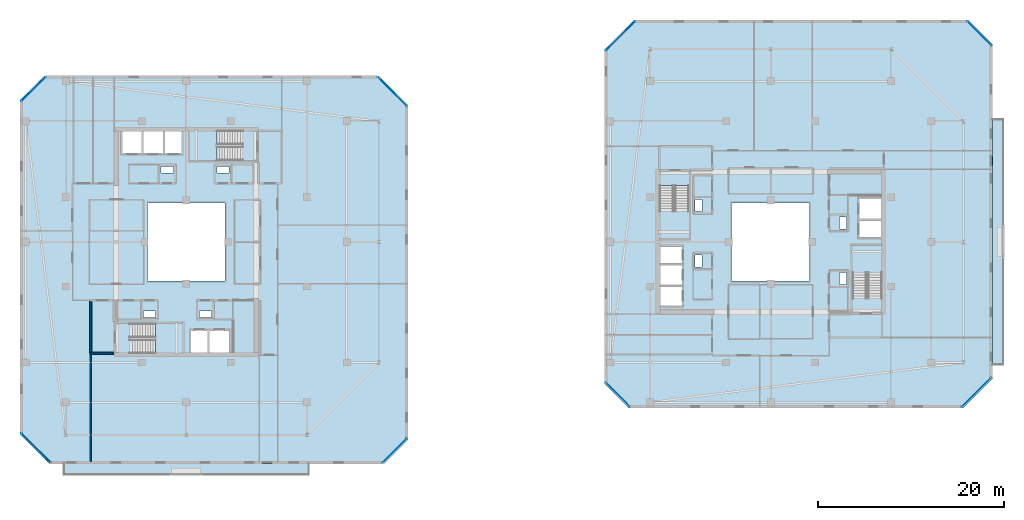
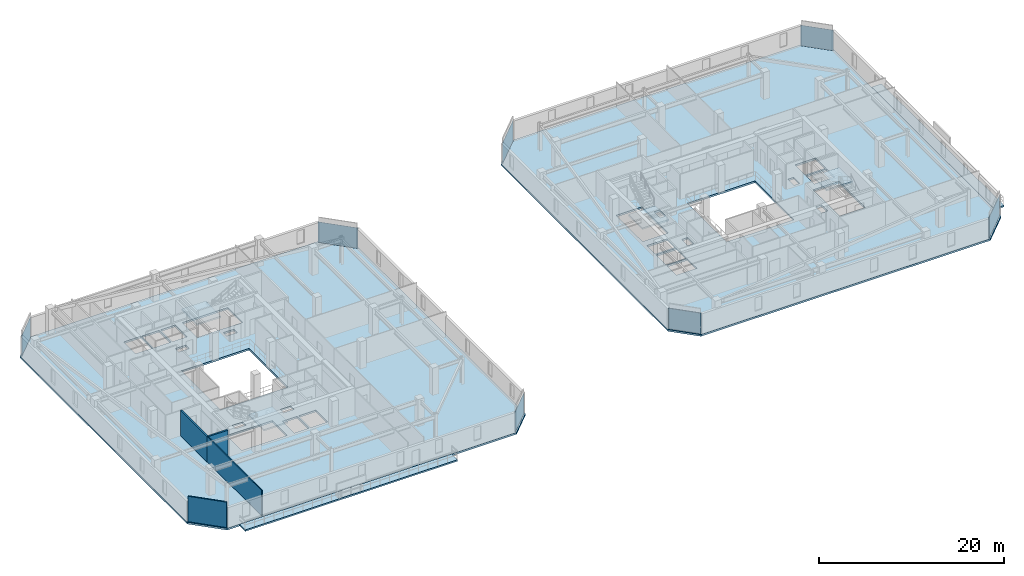
# One storey, part 20 of 35: 8 plates, 8 slabs, 4 walls, 12 elements without a shape of their own.
"""IFC4 building model written with IfcOpenShell, lengths in metres."""

from ifc_helpers import new_model, si_unit, direction, frame, frame_2d, origin, origin_2d, place, context, subcontext, project, spatial, polyline, rectangle, outline, extrude, material, layer, layer_set, type_object, element, aggregate, save


model = new_model("IFC4")

# Units and contexts
model_context = context("Model", 3, precision=1e-05, world=origin(), true_north=direction((0.0, 1.0)))
body_context = subcontext(model_context, "Body", "Model", "MODEL_VIEW")
ifc_project = project(units=[si_unit("LENGTHUNIT", "METRE"), si_unit("AREAUNIT", "SQUARE_METRE"), si_unit("VOLUMEUNIT", "CUBIC_METRE"), si_unit("PLANEANGLEUNIT", "RADIAN"), si_unit("MASSUNIT", "GRAM", prefix="KILO")], contexts=[model_context])

# Site, building, storey
site_placement = place(None, origin())
site = spatial("IfcSite", under=ifc_project, at=site_placement, CompositionType="ELEMENT")
building_placement = place(site_placement, origin())
building = spatial("IfcBuilding", under=site, at=building_placement, Name="Thornwick Lancets Civic Towers", CompositionType="ELEMENT")
storey_placement = place(building_placement, frame((0.0, 0.0, 269.10009765625)))
storey = spatial("IfcBuildingStorey", under=building, at=storey_placement, Name="L72", CompositionType="ELEMENT", Elevation=269.10009765625)

# Curtain wall, plate
ifc_material_1 = material(Name="High-zone chamfered-corner unitised glass curtain wall", Category="glass")
curtain_wall_type = type_object("IfcCurtainWallType", Name="CW_SYS_05", PredefinedType="NOTDEFINED", material=ifc_material_1)
curtain_wall_1_placement = place(storey_placement, origin())
curtain_wall_1 = element("IfcCurtainWall", 1, at=curtain_wall_1_placement, inside=storey, type_object=curtain_wall_type, Name="L72 Curtain Wall CW-L72-A-E1", PredefinedType="NOTDEFINED")
ifc_material_2 = material(Name="Low-e double glazing clear glass", Category="glass")
ifc_layer_1 = layer(ifc_material_2, 0.035888671875, Name="Low-e double glazing clear glass")
ifc_layer_set_1 = layer_set([ifc_layer_1], Name="Low-e double glazing clear glass")
plate_type = type_object("IfcPlateType", Name="CW_PNL_GLASS", PredefinedType="CURTAIN_PANEL", material=ifc_layer_set_1)
plate_1_placement = place(storey_placement, frame((47.972900390625, 4.527099609375, 0.0), z_axis=(0.0, 0.0, 1.0), x_axis=(0.707106781187, 0.707106781187, 0.0)))
plate_1 = element("IfcPlate", 2, at=plate_1_placement, type_object=plate_type, Name="CW-L72-A-E1 Panel 0", PredefinedType="CURTAIN_PANEL", context=body_context, shape_type="SweptSolid", body=[
    extrude(rectangle(XDim=3.649169921875, YDim=0.035888671875, at=origin_2d()), origin(), (0.0, 0.0, 1.0), 2.699951171875),
])
aggregate(curtain_wall_1, [plate_1])

curtain_wall_2_placement = place(storey_placement, origin())
curtain_wall_2 = element("IfcCurtainWall", 3, at=curtain_wall_2_placement, inside=storey, type_object=curtain_wall_type, Name="L72 Curtain Wall CW-L72-A-E3", PredefinedType="NOTDEFINED")
plate_2_placement = place(storey_placement, frame((47.6962890625, 43.1962890625, 0.0), z_axis=(0.0, 0.0, 1.0), x_axis=(-0.707106781187, 0.707106781187, 0.0)))
plate_2 = element("IfcPlate", 4, at=plate_2_placement, type_object=plate_type, Name="CW-L72-A-E3 Panel 0", PredefinedType="CURTAIN_PANEL", context=body_context, shape_type="SweptSolid", body=[
    extrude(rectangle(XDim=4.42724609375, YDim=0.035888671875, at=origin_2d()), origin(), (0.0, 0.0, 1.0), 2.699951171875),
])
aggregate(curtain_wall_2, [plate_2])

curtain_wall_3_placement = place(storey_placement, origin())
curtain_wall_3 = element("IfcCurtainWall", 5, at=curtain_wall_3_placement, inside=storey, type_object=curtain_wall_type, Name="L72 Curtain Wall CW-L72-A-E5", PredefinedType="NOTDEFINED")
plate_3_placement = place(storey_placement, frame((9.027099609375, 43.472900390625, 0.0), z_axis=(0.0, 0.0, 1.0), x_axis=(-0.707106781187, -0.707106781187, 0.0)))
plate_3 = element("IfcPlate", 6, at=plate_3_placement, type_object=plate_type, Name="CW-L72-A-E5 Panel 0", PredefinedType="CURTAIN_PANEL", context=body_context, shape_type="SweptSolid", body=[
    extrude(rectangle(XDim=3.649169921875, YDim=0.035888671875, at=origin_2d()), origin(), (0.0, 0.0, 1.0), 2.699951171875),
])
aggregate(curtain_wall_3, [plate_3])

curtain_wall_4_placement = place(storey_placement, origin())
curtain_wall_4 = element("IfcCurtainWall", 7, at=curtain_wall_4_placement, inside=storey, type_object=curtain_wall_type, Name="L72 Curtain Wall CW-L72-A-E7", PredefinedType="NOTDEFINED")
plate_4_placement = place(storey_placement, frame((9.303955078125, 4.8037109375, 0.0), z_axis=(0.0, 0.0, 1.0), x_axis=(0.707106781187, -0.707106781187, 0.0)))
plate_4 = element("IfcPlate", 8, at=plate_4_placement, type_object=plate_type, Name="CW-L72-A-E7 Panel 0", PredefinedType="CURTAIN_PANEL", context=body_context, shape_type="SweptSolid", body=[
    extrude(rectangle(XDim=4.42724609375, YDim=0.035888671875, at=origin_2d()), origin(), (0.0, 0.0, 1.0), 2.699951171875),
])
aggregate(curtain_wall_4, [plate_4])

curtain_wall_5_placement = place(storey_placement, origin())
curtain_wall_5 = element("IfcCurtainWall", 9, at=curtain_wall_5_placement, inside=storey, type_object=curtain_wall_type, Name="L72 Curtain Wall CW-L72-B-E1", PredefinedType="NOTDEFINED")
plate_5_placement = place(storey_placement, frame((110.696044921875, 10.803955078125, 0.0), z_axis=(0.0, 0.0, 1.0), x_axis=(0.707106781187, 0.707106781187, 0.0)))
plate_5 = element("IfcPlate", 10, at=plate_5_placement, type_object=plate_type, Name="CW-L72-B-E1 Panel 0", PredefinedType="CURTAIN_PANEL", context=body_context, shape_type="SweptSolid", body=[
    extrude(rectangle(XDim=4.42724609375, YDim=0.035888671875, at=origin_2d()), origin(), (0.0, 0.0, 1.0), 2.699951171875),
])
aggregate(curtain_wall_5, [plate_5])

curtain_wall_6_placement = place(storey_placement, origin())
curtain_wall_6 = element("IfcCurtainWall", 11, at=curtain_wall_6_placement, inside=storey, type_object=curtain_wall_type, Name="L72 Curtain Wall CW-L72-B-E3", PredefinedType="NOTDEFINED")
plate_6_placement = place(storey_placement, frame((110.972900390625, 49.472900390625, 0.0), z_axis=(0.0, 0.0, 1.0), x_axis=(-0.707106781187, 0.707106781187, 0.0)))
plate_6 = element("IfcPlate", 12, at=plate_6_placement, type_object=plate_type, Name="CW-L72-B-E3 Panel 0", PredefinedType="CURTAIN_PANEL", context=body_context, shape_type="SweptSolid", body=[
    extrude(rectangle(XDim=3.649169921875, YDim=0.035888671875, at=origin_2d()), origin(), (0.0, 0.0, 1.0), 2.699951171875),
])
aggregate(curtain_wall_6, [plate_6])

curtain_wall_7_placement = place(storey_placement, origin())
curtain_wall_7 = element("IfcCurtainWall", 13, at=curtain_wall_7_placement, inside=storey, type_object=curtain_wall_type, Name="L72 Curtain Wall CW-L72-B-E5", PredefinedType="NOTDEFINED")
plate_7_placement = place(storey_placement, frame((72.303955078125, 49.1962890625, 0.0), z_axis=(0.0, 0.0, 1.0), x_axis=(-0.707106781187, -0.707106781187, 0.0)))
plate_7 = element("IfcPlate", 14, at=plate_7_placement, type_object=plate_type, Name="CW-L72-B-E5 Panel 0", PredefinedType="CURTAIN_PANEL", context=body_context, shape_type="SweptSolid", body=[
    extrude(rectangle(XDim=4.42724609375, YDim=0.035888671875, at=origin_2d()), origin(), (0.0, 0.0, 1.0), 2.699951171875),
])
aggregate(curtain_wall_7, [plate_7])

curtain_wall_8_placement = place(storey_placement, origin())
curtain_wall_8 = element("IfcCurtainWall", 15, at=curtain_wall_8_placement, inside=storey, type_object=curtain_wall_type, Name="L72 Curtain Wall CW-L72-B-E7", PredefinedType="NOTDEFINED")
plate_8_placement = place(storey_placement, frame((72.027099609375, 10.527099609375, 0.0), z_axis=(0.0, 0.0, 1.0), x_axis=(0.707106781187, -0.707106781187, 0.0)))
plate_8 = element("IfcPlate", 16, at=plate_8_placement, type_object=plate_type, Name="CW-L72-B-E7 Panel 0", PredefinedType="CURTAIN_PANEL", context=body_context, shape_type="SweptSolid", body=[
    extrude(rectangle(XDim=3.649169921875, YDim=0.035888671875, at=origin_2d()), origin(), (0.0, 0.0, 1.0), 2.699951171875),
])
aggregate(curtain_wall_8, [plate_8])

# Slabs
ifc_material_3 = material(Name="Post-tensioned concrete C40/50", Category="concrete")
ifc_layer_2 = layer(ifc_material_3, 0.199951171875, Name="Post-tensioned concrete C40/50")
ifc_layer_set_2 = layer_set([ifc_layer_2], Name="Post-tensioned concrete C40/50")
slab_type_1 = type_object("IfcSlabType", Name="SLAB_BALCONY_200", PredefinedType="FLOOR", material=ifc_layer_set_2)
slab_1_placement = place(storey_placement, frame((0.0, 0.0, -0.2001953125)))
element("IfcSlab", 17, at=slab_1_placement, inside=storey, type_object=slab_type_1, Name="L72 Tower A Planted Balcony Slab S", PredefinedType="FLOOR", context=body_context, shape_type="SweptSolid", body=[
    extrude(outline(polyline([(12.300048828125, 1.85009765625), (38.699951171875, 1.85009765625), (38.699951171875, 3.10009765625), (12.300048828125, 3.10009765625), (12.300048828125, 1.85009765625)])), origin(), (0.0, 0.0, 1.0), 0.2001953125),
])
slab_2_placement = place(storey_placement, frame((0.0, 0.0, -0.2001953125)))
element("IfcSlab", 18, at=slab_2_placement, inside=storey, type_object=slab_type_1, Name="L72 Tower B Planted Balcony Slab E", PredefinedType="FLOOR", context=body_context, shape_type="SweptSolid", body=[
    extrude(outline(polyline([(112.39990234375, 13.800048828125), (113.64990234375, 13.800048828125), (113.64990234375, 40.199951171875), (112.39990234375, 40.199951171875), (112.39990234375, 13.800048828125)])), origin(), (0.0, 0.0, 1.0), 0.2001953125),
])

# Stair, slab
ifc_material_4 = material(Name="Concrete C40/50", Category="concrete")
stair_type = type_object("IfcStairType", Name="STAIR_DL_3600", PredefinedType="HALF_TURN_STAIR", material=ifc_material_4)
stair_1_placement = place(storey_placement, origin())
stair_1 = element("IfcStair", 19, at=stair_1_placement, inside=storey, type_object=stair_type, Name="L72 Tower A South Exit Stair ST-A1", PredefinedType="HALF_TURN_STAIR")
ifc_layer_3 = layer(ifc_material_4, 0.25, Name="Concrete C40/50")
ifc_layer_set_3 = layer_set([ifc_layer_3], Name="Concrete C40/50")
slab_type_2 = type_object("IfcSlabType", Name="SLAB_LANDING_200", PredefinedType="LANDING", material=ifc_layer_set_3)
slab_3_placement = place(storey_placement, frame((0.0, 0.0, 1.602783203125)))
slab_3 = element("IfcSlab", 20, at=slab_3_placement, type_object=slab_type_2, Name="ST-A1 landing 1", PredefinedType="LANDING", context=body_context, shape_type="SweptSolid", body=[
    extrude(outline(polyline([(22.169921875, 14.93994140625), (25.14990234375, 14.93994140625), (25.14990234375, 18.260009765625), (22.169921875, 18.260009765625), (22.169921875, 14.93994140625)])), origin(), (0.0, 0.0, 1.0), 0.2001953125),
])
aggregate(stair_1, [slab_3])

stair_2_placement = place(storey_placement, origin())
stair_2 = element("IfcStair", 21, at=stair_2_placement, inside=storey, type_object=stair_type, Name="L72 Tower A North Exit Stair ST-A2", PredefinedType="HALF_TURN_STAIR")
slab_4_placement = place(storey_placement, frame((0.0, 0.0, 1.602783203125)))
slab_4 = element("IfcSlab", 22, at=slab_4_placement, type_object=slab_type_2, Name="ST-A2 landing 1", PredefinedType="LANDING", context=body_context, shape_type="SweptSolid", body=[
    extrude(outline(polyline([(28.830078125, 39.06005859375), (25.85009765625, 39.06005859375), (25.85009765625, 35.739990234375), (28.830078125, 35.739990234375), (28.830078125, 39.06005859375)])), origin(), (0.0, 0.0, 1.0), 0.2001953125),
])
aggregate(stair_2, [slab_4])

stair_3_placement = place(storey_placement, origin())
stair_3 = element("IfcStair", 23, at=stair_3_placement, inside=storey, type_object=stair_type, Name="L72 Tower B East Exit Stair ST-B1", PredefinedType="HALF_TURN_STAIR")
slab_5_placement = place(storey_placement, frame((0.0, 0.0, 1.602783203125)))
slab_5 = element("IfcSlab", 24, at=slab_5_placement, type_object=slab_type_2, Name="ST-B1 landing 1", PredefinedType="LANDING", context=body_context, shape_type="SweptSolid", body=[
    extrude(outline(polyline([(100.56005859375, 23.669921875), (100.56005859375, 26.64990234375), (97.239990234375, 26.64990234375), (97.239990234375, 23.669921875), (100.56005859375, 23.669921875)])), origin(), (0.0, 0.0, 1.0), 0.2001953125),
])
aggregate(stair_3, [slab_5])

stair_4_placement = place(storey_placement, origin())
stair_4 = element("IfcStair", 25, at=stair_4_placement, inside=storey, type_object=stair_type, Name="L72 Tower B West Exit Stair ST-B2", PredefinedType="HALF_TURN_STAIR")
slab_6_placement = place(storey_placement, frame((0.0, 0.0, 1.602783203125)))
slab_6 = element("IfcSlab", 26, at=slab_6_placement, type_object=slab_type_2, Name="ST-B2 landing 1", PredefinedType="LANDING", context=body_context, shape_type="SweptSolid", body=[
    extrude(outline(polyline([(76.43994140625, 30.330078125), (76.43994140625, 27.35009765625), (79.760009765625, 27.35009765625), (79.760009765625, 30.330078125), (76.43994140625, 30.330078125)])), origin(), (0.0, 0.0, 1.0), 0.2001953125),
])
aggregate(stair_4, [slab_6])

# Slabs
ifc_layer_4 = layer(ifc_material_3, 0.239990234375, Name="Post-tensioned concrete C40/50")
ifc_layer_set_4 = layer_set([ifc_layer_4], Name="Post-tensioned concrete C40/50")
slab_type_3 = type_object("IfcSlabType", Name="SLAB_PT_240", PredefinedType="FLOOR", material=ifc_layer_set_4)
slab_7_placement = place(storey_placement, frame((0.0, 0.0, -0.239990234375)))
element("IfcSlab", 27, at=slab_7_placement, inside=storey, type_object=slab_type_3, Name="L72 Tower A Floor Slab", PredefinedType="FLOOR", context=body_context, shape_type="SweptSolid", body=[
    extrude(outline(polyline([(10.75390625, 3.10009765625), (46.800048828125, 3.10009765625), (49.39990234375, 5.699951171875), (49.39990234375, 41.74609375), (46.24609375, 44.89990234375), (10.199951171875, 44.89990234375), (7.60009765625, 42.300048828125), (7.60009765625, 6.25390625), (10.75390625, 3.10009765625)]), holes=[polyline([(21.300048828125, 22.800048828125), (29.699951171875, 22.800048828125), (29.699951171875, 31.199951171875), (21.300048828125, 31.199951171875), (21.300048828125, 22.800048828125)]), polyline([(19.429931640625, 15.0), (25.10009765625, 15.0), (25.10009765625, 18.199951171875), (19.429931640625, 18.199951171875), (19.429931640625, 15.0)]), polyline([(31.570068359375, 39.0), (25.89990234375, 39.0), (25.89990234375, 35.800048828125), (31.570068359375, 35.800048828125), (31.570068359375, 39.0)]), polyline([(26.0, 15.0), (27.800048828125, 15.0), (27.800048828125, 17.550048828125), (26.0, 17.550048828125), (26.0, 15.0)]), polyline([(28.0, 15.0), (30.14990234375, 15.0), (30.14990234375, 17.550048828125), (28.0, 17.550048828125), (28.0, 15.0)]), polyline([(23.199951171875, 36.449951171875), (25.0, 36.449951171875), (25.0, 39.0), (23.199951171875, 39.0), (23.199951171875, 36.449951171875)]), polyline([(20.85009765625, 36.449951171875), (23.0, 36.449951171875), (23.0, 39.0), (20.85009765625, 39.0), (20.85009765625, 36.449951171875)]), polyline([(18.60009765625, 36.449951171875), (20.699951171875, 36.449951171875), (20.699951171875, 39.0), (18.60009765625, 39.0), (18.60009765625, 36.449951171875)]), polyline([(26.89990234375, 18.85009765625), (28.199951171875, 18.85009765625), (28.199951171875, 19.580078125), (26.89990234375, 19.580078125), (26.89990234375, 18.85009765625)]), polyline([(20.89990234375, 18.85009765625), (22.199951171875, 18.85009765625), (22.199951171875, 19.580078125), (20.89990234375, 19.580078125), (20.89990234375, 18.85009765625)]), polyline([(22.800048828125, 34.419921875), (24.10009765625, 34.419921875), (24.10009765625, 35.14990234375), (22.800048828125, 35.14990234375), (22.800048828125, 34.419921875)]), polyline([(28.800048828125, 34.419921875), (30.10009765625, 34.419921875), (30.10009765625, 35.14990234375), (28.800048828125, 35.14990234375), (28.800048828125, 34.419921875)])]), origin(), (0.0, 0.0, 1.0), 0.239990234375),
])
slab_8_placement = place(storey_placement, frame((0.0, 0.0, -0.239990234375)))
element("IfcSlab", 28, at=slab_8_placement, inside=storey, type_object=slab_type_3, Name="L72 Tower B Floor Slab", PredefinedType="FLOOR", context=body_context, shape_type="SweptSolid", body=[
    extrude(outline(polyline([(73.199951171875, 9.10009765625), (109.24609375, 9.10009765625), (112.39990234375, 12.25390625), (112.39990234375, 48.300048828125), (109.800048828125, 50.89990234375), (73.75390625, 50.89990234375), (70.60009765625, 47.74609375), (70.60009765625, 11.699951171875), (73.199951171875, 9.10009765625)]), holes=[polyline([(84.300048828125, 22.800048828125), (92.699951171875, 22.800048828125), (92.699951171875, 31.199951171875), (84.300048828125, 31.199951171875), (84.300048828125, 22.800048828125)]), polyline([(100.5, 20.929931640625), (100.5, 26.60009765625), (97.300048828125, 26.60009765625), (97.300048828125, 20.929931640625), (100.5, 20.929931640625)]), polyline([(76.5, 33.070068359375), (76.5, 27.39990234375), (79.699951171875, 27.39990234375), (79.699951171875, 33.070068359375), (76.5, 33.070068359375)]), polyline([(97.949951171875, 27.5), (100.5, 27.5), (100.5, 29.300048828125), (97.949951171875, 29.300048828125), (97.949951171875, 27.5)]), polyline([(97.949951171875, 29.5), (100.5, 29.5), (100.5, 31.64990234375), (97.949951171875, 31.64990234375), (97.949951171875, 29.5)]), polyline([(76.5, 24.699951171875), (79.050048828125, 24.699951171875), (79.050048828125, 26.5), (76.5, 26.5), (76.5, 24.699951171875)]), polyline([(76.5, 22.35009765625), (79.050048828125, 22.35009765625), (79.050048828125, 24.5), (76.5, 24.5), (76.5, 22.35009765625)]), polyline([(76.5, 20.10009765625), (79.050048828125, 20.10009765625), (79.050048828125, 22.199951171875), (76.5, 22.199951171875), (76.5, 20.10009765625)]), polyline([(95.919921875, 28.39990234375), (96.64990234375, 28.39990234375), (96.64990234375, 29.699951171875), (95.919921875, 29.699951171875), (95.919921875, 28.39990234375)]), polyline([(95.919921875, 22.39990234375), (96.64990234375, 22.39990234375), (96.64990234375, 23.699951171875), (95.919921875, 23.699951171875), (95.919921875, 22.39990234375)]), polyline([(80.35009765625, 24.300048828125), (81.080078125, 24.300048828125), (81.080078125, 25.60009765625), (80.35009765625, 25.60009765625), (80.35009765625, 24.300048828125)]), polyline([(80.35009765625, 30.300048828125), (81.080078125, 30.300048828125), (81.080078125, 31.60009765625), (80.35009765625, 31.60009765625), (80.35009765625, 30.300048828125)])]), origin(), (0.0, 0.0, 1.0), 0.239990234375),
])

# Walls
ifc_material_5 = material(Name="Concrete blockwork C40/50", Category="masonry")
ifc_layer_5 = layer(ifc_material_5, 0.199951171875, Name="Concrete blockwork C40/50")
ifc_layer_set_5 = layer_set([ifc_layer_5], Name="Concrete blockwork C40/50")
wall_type_1 = type_object("IfcWallType", Name="WALL_COMP_200", PredefinedType="STANDARD", material=ifc_layer_set_5)
wall_1_placement = place(storey_placement, frame((15.199951171875, 15.0, 0.0), z_axis=(0.0, 0.0, 1.0), x_axis=(1.0, 0.0, 0.0)))
element("IfcWall", 29, at=wall_1_placement, inside=storey, type_object=wall_type_1, Name="L72 Partition L72-A-FFLOB1 E1", PredefinedType="STANDARD", context=body_context, shape_type="SweptSolid", body=[
    extrude(rectangle(XDim=2.5, YDim=0.199951171875, at=frame_2d((1.25, 0.0))), origin(), (0.0, 0.0, 1.0), 3.33984375),
])
wall_2_placement = place(storey_placement, frame((15.199951171875, 20.699951171875, 0.0), z_axis=(0.0, 0.0, 1.0), x_axis=(0.0, -1.0, 0.0)))
element("IfcWall", 30, at=wall_2_placement, inside=storey, type_object=wall_type_1, Name="L72 Partition L72-A-FFLOB1 E4", PredefinedType="STANDARD", context=body_context, shape_type="SweptSolid", body=[
    extrude(rectangle(XDim=5.699951171875, YDim=0.199951171875, at=frame_2d((2.85009765625, 0.0))), origin(), (0.0, 0.0, 1.0), 3.33984375),
])
ifc_material_6 = material(Name="Acoustic gypsum board partition")
ifc_layer_6 = layer(ifc_material_6, 0.1201171875, Name="Acoustic gypsum board partition")
ifc_layer_set_6 = layer_set([ifc_layer_6], Name="Acoustic gypsum board partition")
wall_type_2 = type_object("IfcWallType", Name="WALL_PART_120", PredefinedType="PARTITIONING", material=ifc_layer_set_6)
wall_3_placement = place(storey_placement, frame((15.199951171875, 15.0, 0.0), z_axis=(0.0, 0.0, 1.0), x_axis=(0.0, -1.0, 0.0)))
element("IfcWall", 31, at=wall_3_placement, inside=storey, type_object=wall_type_2, Name="L72 Partition L72-A-W1 E5", PredefinedType="PARTITIONING", context=body_context, shape_type="SweptSolid", body=[
    extrude(rectangle(XDim=11.719970703125, YDim=0.1201171875, at=frame_2d((5.85986328125, 0.0))), origin(), (0.0, 0.0, 1.0), 3.33984375),
])
wall_4_placement = place(storey_placement, frame((10.82861328125, 3.280029296875, 0.0), z_axis=(0.0, 0.0, 1.0), x_axis=(-0.707106781187, 0.707106781187, 0.0)))
element("IfcWall", 32, at=wall_4_placement, inside=storey, type_object=wall_type_2, Name="L72 Partition L72-A-W1 E7", PredefinedType="PARTITIONING", context=body_context, shape_type="SweptSolid", body=[
    extrude(rectangle(XDim=4.311279296875, YDim=0.1201171875, at=frame_2d((2.15576171875, 0.0))), origin(), (0.0, 0.0, 1.0), 3.33984375),
])

save(model, "model.ifc")
